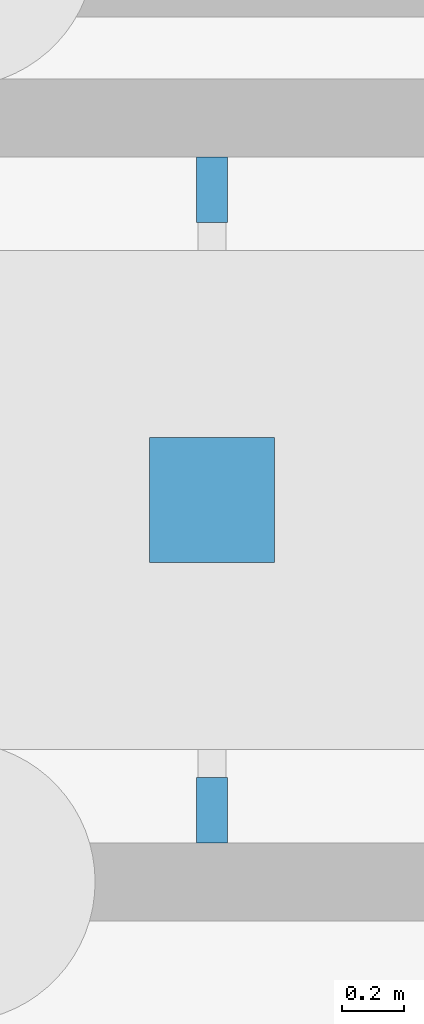
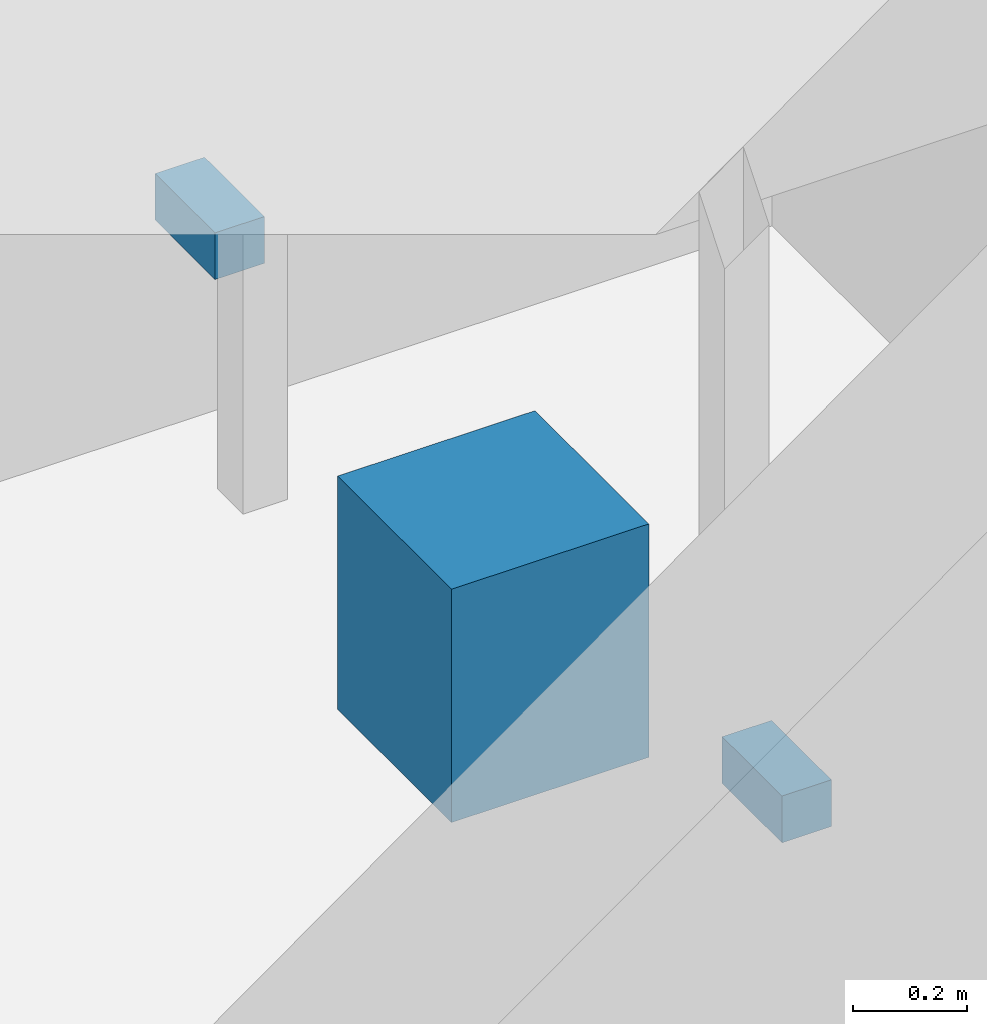
# One storey, part 171 of 250: 3 discrete accessories.
"""IFC4 building model written with IfcOpenShell, lengths in metres."""

from ifc_helpers import new_model, si_unit, direction, frame, origin, origin_2d, place, context, subcontext, project, spatial, rectangle, extrude, material, type_object, element, save


model = new_model("IFC4")

# Units and contexts
model_context = context("Model", 3, precision=1e-05, world=origin(), true_north=direction((0.0, 1.0)))
body_context = subcontext(model_context, "Body", "Model", "MODEL_VIEW")
ifc_project = project(units=[si_unit("LENGTHUNIT", "METRE"), si_unit("AREAUNIT", "SQUARE_METRE"), si_unit("VOLUMEUNIT", "CUBIC_METRE"), si_unit("PLANEANGLEUNIT", "RADIAN"), si_unit("MASSUNIT", "GRAM", prefix="KILO")], contexts=[model_context])

# Site, building, storey
site_placement = place(None, origin())
site = spatial("IfcSite", under=ifc_project, at=site_placement, CompositionType="ELEMENT")
building_placement = place(site_placement, origin())
building = spatial("IfcBuilding", under=site, at=building_placement, Name="Baradari Gate Terminus", CompositionType="ELEMENT")
storey_placement = place(building_placement, origin())
storey = spatial("IfcBuildingStorey", under=building, at=storey_placement, Name="L00", CompositionType="ELEMENT", Elevation=0.0)

# Discrete accessories
ifc_material_1 = material(Name="Steel S355", Category="steel")
discrete_accessory_type_1 = type_object("IfcDiscreteAccessoryType", Name="Lift buffer BF-1 400x400x500", PredefinedType="SHOE", material=ifc_material_1)
discrete_accessory_placement = place(storey_placement, frame((36.824951171875, 133.22509765625, -1.60009765625), z_axis=(0.0, 0.0, 1.0), x_axis=(1.0, 0.0, 0.0)))
element("IfcDiscreteAccessory", 1, at=discrete_accessory_placement, inside=storey, type_object=discrete_accessory_type_1, Name="Lift buffer LT3", PredefinedType="SHOE", context=body_context, shape_type="SweptSolid", body=[
    extrude(rectangle(XDim=0.39990234375, YDim=0.39990234375, at=origin_2d()), origin(), (0.0, 0.0, 1.0), 0.5),
])
ifc_material_2 = material(Name="Steel S355", Category="steel")
discrete_accessory_type_2 = type_object("IfcDiscreteAccessoryType", Name="Lift rail bracket RB-L1 100x100", PredefinedType="BRACKET", material=ifc_material_2)
for number, where, z_axis, x_axis, name in (
    (2, (36.824951171875, 132.22998046875, -1.150146484375), (0.0, 0.0, 1.0), (1.0, 0.0, 0.0), "Lift rail bracket LT3 1A"),
    (3, (36.824951171875, 134.219970703125, -1.150146484375), (0.0, 0.0, 1.0), (1.0, 0.0, 0.0), "Lift rail bracket LT3 2A"),
):
    element("IfcDiscreteAccessory", number, at=place(storey_placement, frame(where, z_axis=z_axis, x_axis=x_axis)), inside=storey, type_object=discrete_accessory_type_2, Name=name, PredefinedType="BRACKET", context=body_context, shape_type="SweptSolid", body=[
        extrude(rectangle(XDim=0.10009765625, YDim=0.2099609375, at=origin_2d()), origin(), (0.0, 0.0, 1.0), 0.10009765625),
    ])

save(model, "model.ifc")
